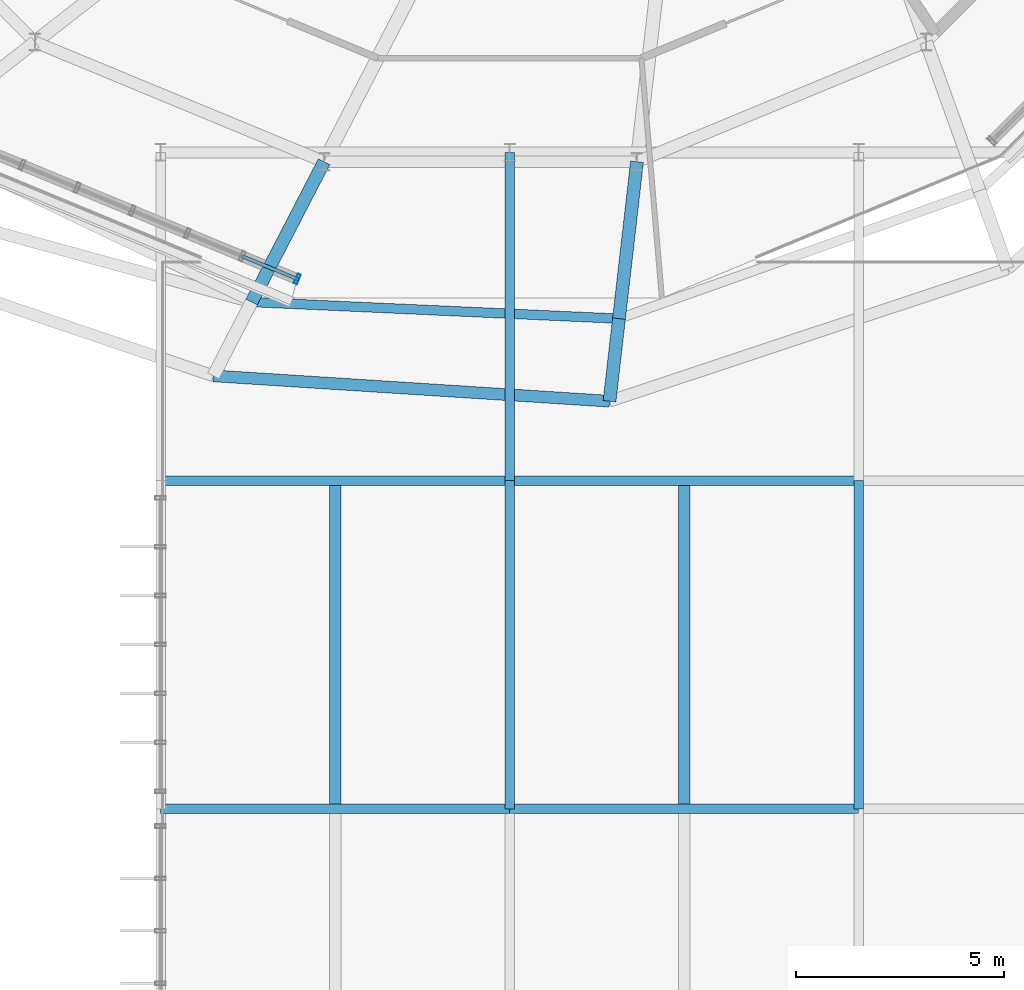
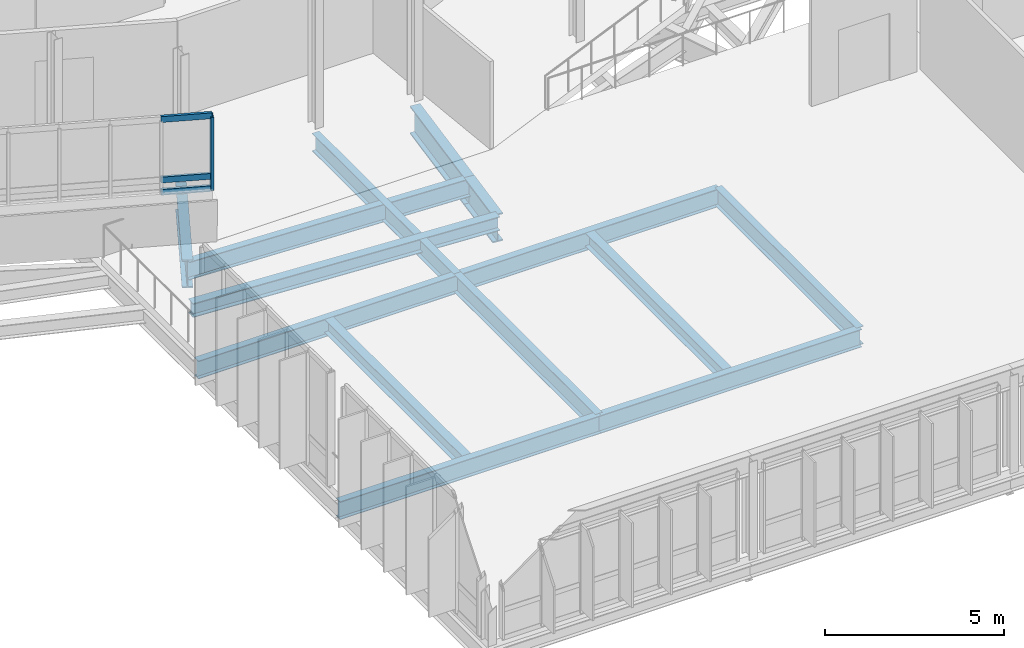
# One storey, part 22 of 107: 14 beams, 4 members, 1 element without a shape of its own.
"""IFC4 building model written with IfcOpenShell, lengths in metres."""

from ifc_helpers import new_model, si_unit, derived_unit, direction, frame, origin, origin_2d, place, context, subcontext, project, spatial, hollow_rectangle, i_section, extrude, material, layer, layer_set, material_profile, profile_set, type_object, element, aggregate, save


model = new_model("IFC4")

# Units and contexts
model_context = context("Model", 3, precision=1e-05, world=origin(), true_north=direction((0.0, 1.0)))
body_context = subcontext(model_context, "Body", "Model", "MODEL_VIEW")
ifc_project = project(units=[si_unit("LENGTHUNIT", "METRE"), si_unit("AREAUNIT", "SQUARE_METRE"), si_unit("VOLUMEUNIT", "CUBIC_METRE"), si_unit("PLANEANGLEUNIT", "RADIAN"), si_unit("MASSUNIT", "GRAM", prefix="KILO"), derived_unit("THERMALTRANSMITTANCEUNIT", [(si_unit("MASSUNIT", "GRAM", prefix="KILO"), 1), (si_unit("TIMEUNIT", "SECOND"), -3), (si_unit("THERMODYNAMICTEMPERATUREUNIT", "KELVIN"), -1)])], contexts=[model_context])

# Site, building, storey
site_placement = place(None, origin())
site = spatial("IfcSite", under=ifc_project, at=site_placement, CompositionType="ELEMENT")
building_placement = place(site_placement, origin())
building = spatial("IfcBuilding", under=site, at=building_placement, Name="Makaiwela Harbour Ferry Terminal", CompositionType="ELEMENT")
storey_placement = place(building_placement, frame((0.0, 0.0, 9.60009765625)))
storey = spatial("IfcBuildingStorey", under=building, at=storey_placement, Name="L02", CompositionType="ELEMENT", Elevation=9.60009765625)

# Curtain wall, members
ifc_material_1 = material(Name="Marine anodised aluminium 6063-T6", Category="aluminium")
ifc_layer = layer(ifc_material_1, 0.199951171875)
ifc_layer_set = layer_set([ifc_layer], Name="Marine anodised aluminium 6063-T6")
curtain_wall_type = type_object("IfcCurtainWallType", Name="ENV-CW-04", PredefinedType="USERDEFINED", material=ifc_layer_set)
curtain_wall_placement = place(storey_placement, origin())
curtain_wall = element("IfcCurtainWall", 1, at=curtain_wall_placement, inside=storey, type_object=curtain_wall_type, Name="Unitised Curtain Wall CWA-026", ObjectType="UNITIZED CURTAIN WALL", PredefinedType="USERDEFINED")
ifc_material_profile_1 = material_profile(ifc_material_1, hollow_rectangle(XDim=0.0849609375, YDim=0.25, WallThickness=0.0048828125, at=origin_2d()), Name="CWM-250X85")
ifc_profile_set_1 = profile_set([ifc_material_profile_1], Name="Marine anodised aluminium 6063-T6")
member_type_1 = type_object("IfcMemberType", Name="CW-MUL-250", PredefinedType="MULLION", material=ifc_profile_set_1)
member_1_placement = place(storey_placement, frame((32.69140625, 46.34814453125, 1.47998046875), z_axis=(0.0, 0.0, 1.0), x_axis=(-0.923879532511, 0.382683432365, 0.0)))
member_1 = element("IfcMember", 2, at=member_1_placement, type_object=member_type_1, Name="Curtain Wall Mullion CWA-026-7", PredefinedType="MULLION", context=body_context, shape_type="SweptSolid", body=[
    extrude(hollow_rectangle(XDim=0.0849609375, YDim=0.25, WallThickness=0.0048828125, at=origin_2d()), origin(), (0.0, 0.0, 1.0), 2.47998046875),
])
ifc_material_profile_2 = material_profile(ifc_material_1, hollow_rectangle(XDim=0.0849609375, YDim=0.199951171875, WallThickness=0.0048828125, at=origin_2d()), Name="CWT-200X85")
ifc_profile_set_2 = profile_set([ifc_material_profile_2], Name="Marine anodised aluminium 6063-T6")
member_type_2 = type_object("IfcMemberType", Name="CW-TRN-200", PredefinedType="USERDEFINED", material=ifc_profile_set_2)
member_2_placement = place(storey_placement, frame((31.36669921875, 46.896728515625, 1.47998046875), z_axis=(0.923911001953, -0.382607449574, 0.0), x_axis=(0.382607449574, 0.923911001953, 0.0)))
member_2 = element("IfcMember", 3, at=member_2_placement, type_object=member_type_2, Name="Curtain Wall Transom CWA-026-6-1", ObjectType="TRANSOM", PredefinedType="USERDEFINED", context=body_context, shape_type="SweptSolid", body=[
    extrude(hollow_rectangle(XDim=0.0849609375, YDim=0.199951171875, WallThickness=0.0048828125, at=origin_2d()), origin(), (0.0, 0.0, 1.0), 1.433837890625),
])
member_3_placement = place(storey_placement, frame((31.36669921875, 46.896728515625, 1.89990234375), z_axis=(0.923911001953, -0.382607449574, 0.0), x_axis=(0.382607449574, 0.923911001953, 0.0)))
member_3 = element("IfcMember", 4, at=member_3_placement, type_object=member_type_2, Name="Curtain Wall Transom CWA-026-6-2", ObjectType="TRANSOM", PredefinedType="USERDEFINED", context=body_context, shape_type="SweptSolid", body=[
    extrude(hollow_rectangle(XDim=0.0849609375, YDim=0.199951171875, WallThickness=0.0048828125, at=origin_2d()), origin(), (0.0, 0.0, 1.0), 1.433837890625),
])
member_4_placement = place(storey_placement, frame((31.36669921875, 46.896728515625, 3.9599609375), z_axis=(0.923911001953, -0.382607449574, 0.0), x_axis=(0.382607449574, 0.923911001953, 0.0)))
member_4 = element("IfcMember", 5, at=member_4_placement, type_object=member_type_2, Name="Curtain Wall Transom CWA-026-6-3", ObjectType="TRANSOM", PredefinedType="USERDEFINED", context=body_context, shape_type="SweptSolid", body=[
    extrude(hollow_rectangle(XDim=0.0849609375, YDim=0.199951171875, WallThickness=0.0048828125, at=origin_2d()), origin(), (0.0, 0.0, 1.0), 1.433837890625),
])
aggregate(curtain_wall, [member_1, member_2, member_3, member_4])

# Beams
ifc_material_2 = material(Name="Steel ASTM A992 Grade 50", Category="steel")
ifc_material_profile_3 = material_profile(ifc_material_2, i_section(OverallWidth=0.280029296875, OverallDepth=0.462890625, WebThickness=0.0107421875, FlangeThickness=0.017333984375, at=origin_2d()), Name="W18X76")
ifc_profile_set_3 = profile_set([ifc_material_profile_3], Name="Steel ASTM A992 Grade 50")
beam_type_1 = type_object("IfcBeamType", Name="STR-BM-W18X76", PredefinedType="BEAM", material=ifc_profile_set_3)
for number, where, z_axis, x_axis, name in (
    (6, (33.60009765625, 33.696533203125, -0.49169921875), (0.0, 1.0, 0.0), (-1.0, 0.0, 0.0), "Secondary floor beam 1458"),
    (7, (42.0, 33.696533203125, -0.49169921875), (0.0, 1.0, 0.0), (-1.0, 0.0, 0.0), "Secondary floor beam 1460"),
):
    element("IfcBeam", number, at=place(storey_placement, frame(where, z_axis=z_axis, x_axis=x_axis)), inside=storey, type_object=beam_type_1, Name=name, PredefinedType="BEAM", context=body_context, shape_type="SweptSolid", body=[
        extrude(i_section(OverallWidth=0.280029296875, OverallDepth=0.462890625, WebThickness=0.0107421875, FlangeThickness=0.017333984375, at=origin_2d()), origin(), (0.0, 0.0, 1.0), 7.70703125),
    ])
ifc_material_profile_4 = material_profile(ifc_material_2, i_section(OverallWidth=0.22900390625, OverallDepth=0.612060546875, WebThickness=0.011962890625, FlangeThickness=0.01953125, at=origin_2d()), Name="W24X84")
ifc_profile_set_4 = profile_set([ifc_material_profile_4], Name="Steel ASTM A992 Grade 50")
beam_type_2 = type_object("IfcBeamType", Name="STR-GRD-W24X84", PredefinedType="USERDEFINED", material=ifc_profile_set_4)
beam_1_placement = place(storey_placement, frame((31.589599609375, 45.79541015625, -0.566162109375), z_axis=(0.998978864761, -0.045179948658, 0.0), x_axis=(0.045179948658, 0.998978864761, 0.0)))
element("IfcBeam", 8, at=beam_1_placement, inside=storey, type_object=beam_type_2, Name="Drum overhang tie girder 218", ObjectType="GIRDER", PredefinedType="USERDEFINED", context=body_context, shape_type="SweptSolid", body=[
    extrude(i_section(OverallWidth=0.22900390625, OverallDepth=0.612060546875, WebThickness=0.011962890625, FlangeThickness=0.01953125, at=origin_2d()), origin(), (0.0, 0.0, 1.0), 8.851318359375),
])
beam_2_placement = place(storey_placement, frame((29.39990234375, 33.60009765625, -0.566162109375), z_axis=(1.0, 0.0, 0.0), x_axis=(0.0, 1.0, 0.0)))
element("IfcBeam", 9, at=beam_2_placement, inside=storey, type_object=beam_type_2, Name="Primary X girder 1245", ObjectType="GIRDER", PredefinedType="USERDEFINED", context=body_context, shape_type="SweptSolid", body=[
    extrude(i_section(OverallWidth=0.22900390625, OverallDepth=0.612060546875, WebThickness=0.011962890625, FlangeThickness=0.01953125, at=origin_2d()), origin(), (0.0, 0.0, 1.0), 8.400146484375),
])
beam_3_placement = place(storey_placement, frame((37.800048828125, 33.60009765625, -0.566162109375), z_axis=(1.0, 0.0, 0.0), x_axis=(0.0, 1.0, 0.0)))
element("IfcBeam", 10, at=beam_3_placement, inside=storey, type_object=beam_type_2, Name="Primary X girder 1246", ObjectType="GIRDER", PredefinedType="USERDEFINED", context=body_context, shape_type="SweptSolid", body=[
    extrude(i_section(OverallWidth=0.22900390625, OverallDepth=0.612060546875, WebThickness=0.011962890625, FlangeThickness=0.01953125, at=origin_2d()), origin(), (0.0, 0.0, 1.0), 8.39990234375),
])
beam_4_placement = place(storey_placement, frame((29.39990234375, 41.5, -0.566162109375), z_axis=(1.0, 0.0, 0.0), x_axis=(0.0, 1.0, 0.0)))
element("IfcBeam", 11, at=beam_4_placement, inside=storey, type_object=beam_type_2, Name="Primary X girder 1261", ObjectType="GIRDER", PredefinedType="USERDEFINED", context=body_context, shape_type="SweptSolid", body=[
    extrude(i_section(OverallWidth=0.22900390625, OverallDepth=0.612060546875, WebThickness=0.011962890625, FlangeThickness=0.01953125, at=origin_2d()), origin(), (0.0, 0.0, 1.0), 8.400146484375),
])
beam_5_placement = place(storey_placement, frame((37.800048828125, 41.5, -0.566162109375), z_axis=(1.0, 0.0, 0.0), x_axis=(0.0, 1.0, 0.0)))
element("IfcBeam", 12, at=beam_5_placement, inside=storey, type_object=beam_type_2, Name="Primary X girder 1262", ObjectType="GIRDER", PredefinedType="USERDEFINED", context=body_context, shape_type="SweptSolid", body=[
    extrude(i_section(OverallWidth=0.22900390625, OverallDepth=0.612060546875, WebThickness=0.011962890625, FlangeThickness=0.01953125, at=origin_2d()), origin(), (0.0, 0.0, 1.0), 8.39990234375),
])
for number, where, z_axis, x_axis, name in (
    (13, (37.800048828125, 33.60009765625, -0.566162109375), (0.0, 1.0, 0.0), (-1.0, 0.0, 0.0), "Primary Y girder 1350"),
    (14, (37.800048828125, 41.5, -0.566162109375), (0.0, 1.0, 0.0), (-1.0, 0.0, 0.0), "Primary Y girder 1351"),
    (15, (46.199951171875, 33.60009765625, -0.566162109375), (0.0, 1.0, 0.0), (-1.0, 0.0, 0.0), "Primary Y girder 1353"),
):
    element("IfcBeam", number, at=place(storey_placement, frame(where, z_axis=z_axis, x_axis=x_axis)), inside=storey, type_object=beam_type_2, Name=name, ObjectType="GIRDER", PredefinedType="USERDEFINED", context=body_context, shape_type="SweptSolid", body=[
        extrude(i_section(OverallWidth=0.22900390625, OverallDepth=0.612060546875, WebThickness=0.011962890625, FlangeThickness=0.01953125, at=origin_2d()), origin(), (0.0, 0.0, 1.0), 7.89990234375),
    ])
ifc_material_profile_5 = material_profile(ifc_material_2, i_section(OverallWidth=0.31005859375, OverallDepth=0.949951171875, WebThickness=0.0244140625, FlangeThickness=0.0439453125, at=origin_2d()), Name="W36X256")
ifc_profile_set_5 = profile_set([ifc_material_profile_5], Name="Steel ASTM A992 Grade 50")
beam_type_3 = type_object("IfcBeamType", Name="STR-GRD-W36X256", PredefinedType="USERDEFINED", material=ifc_profile_set_5)
beam_6_placement = place(storey_placement, frame((33.334716796875, 49.1708984375, -0.735107421875), z_axis=(-0.459251619931, -0.888306225122, 0.0), x_axis=(0.888306225122, -0.459251619931, 0.0)))
element("IfcBeam", 16, at=beam_6_placement, inside=storey, type_object=beam_type_3, Name="Drum radial overhang 184", ObjectType="GIRDER", PredefinedType="USERDEFINED", context=body_context, shape_type="SweptSolid", body=[
    extrude(i_section(OverallWidth=0.31005859375, OverallDepth=0.949951171875, WebThickness=0.0244140625, FlangeThickness=0.0439453125, at=origin_2d()), origin(), (0.0, 0.0, 1.0), 3.7998046875),
])
beam_7_placement = place(storey_placement, frame((40.865234375, 49.1708984375, -0.735107421875), z_axis=(-0.114033976295, -0.993476850385, 0.0), x_axis=(0.993476850385, -0.114033976295, 0.0)))
element("IfcBeam", 17, at=beam_7_placement, inside=storey, type_object=beam_type_3, Name="Drum radial overhang 187", ObjectType="GIRDER", PredefinedType="USERDEFINED", context=body_context, shape_type="SweptSolid", body=[
    extrude(i_section(OverallWidth=0.31005859375, OverallDepth=0.949951171875, WebThickness=0.0244140625, FlangeThickness=0.0439453125, at=origin_2d()), origin(), (0.0, 0.0, 1.0), 3.80029296875),
])
beam_8_placement = place(storey_placement, frame((40.431884765625, 45.3955078125, -0.735107421875), z_axis=(-0.114021712091, -0.993478258027, 0.0), x_axis=(0.993478258027, -0.114021712091, 0.0)))
element("IfcBeam", 18, at=beam_8_placement, inside=storey, type_object=beam_type_3, Name="Drum overhang radial girder 188", ObjectType="GIRDER", PredefinedType="USERDEFINED", context=body_context, shape_type="SweptSolid", body=[
    extrude(i_section(OverallWidth=0.31005859375, OverallDepth=0.949951171875, WebThickness=0.0244140625, FlangeThickness=0.0439453125, at=origin_2d()), origin(), (0.0, 0.0, 1.0), 1.999755859375),
])
ifc_material_profile_6 = material_profile(ifc_material_2, i_section(OverallWidth=0.283935546875, OverallDepth=0.47607421875, WebThickness=0.014892578125, FlangeThickness=0.02392578125, at=origin_2d()), Name="W18X106")
ifc_profile_set_6 = profile_set([ifc_material_profile_6], Name="Steel ASTM A992 Grade 50")
beam_type_4 = type_object("IfcBeamType", Name="STR-SPN-W18X106", PredefinedType="SPANDREL", material=ifc_profile_set_6)
beam_9_placement = place(storey_placement, frame((30.6708984375, 44.018798828125, -0.498046875), z_axis=(0.99795828309, -0.063869125655, 0.0), x_axis=(0.063869125655, 0.99795828309, 0.0)))
element("IfcBeam", 19, at=beam_9_placement, inside=storey, type_object=beam_type_4, Name="Drum perimeter spandrel 231", PredefinedType="SPANDREL", context=body_context, shape_type="SweptSolid", body=[
    extrude(i_section(OverallWidth=0.283935546875, OverallDepth=0.47607421875, WebThickness=0.014892578125, FlangeThickness=0.02392578125, at=origin_2d()), origin(), (0.0, 0.0, 1.0), 9.552490234375),
])

save(model, "model.ifc")
